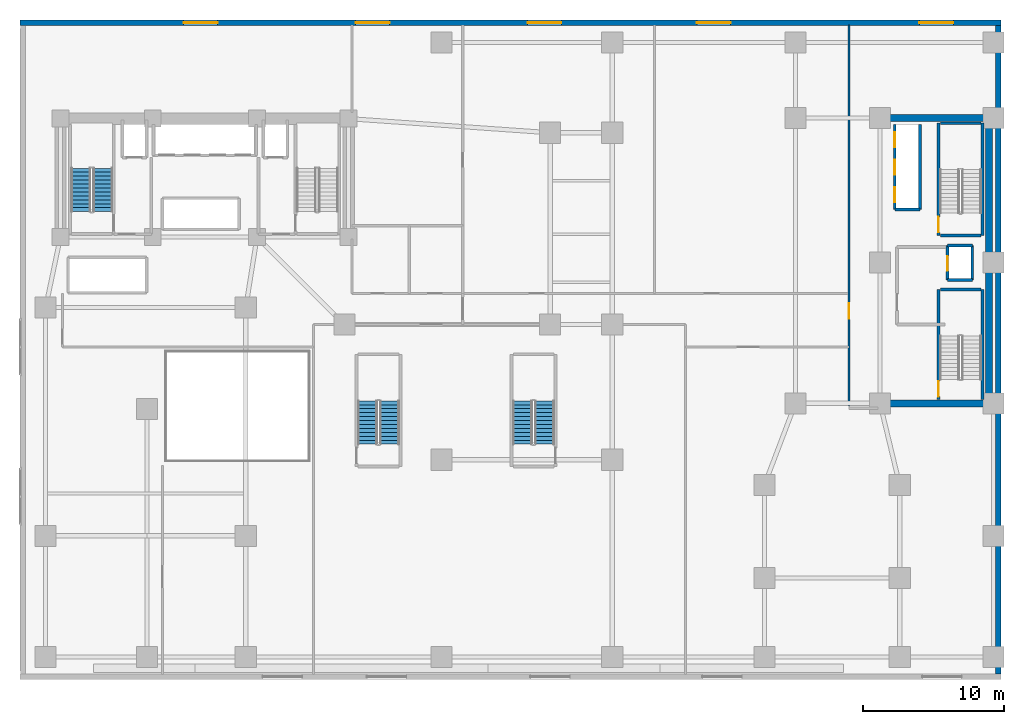
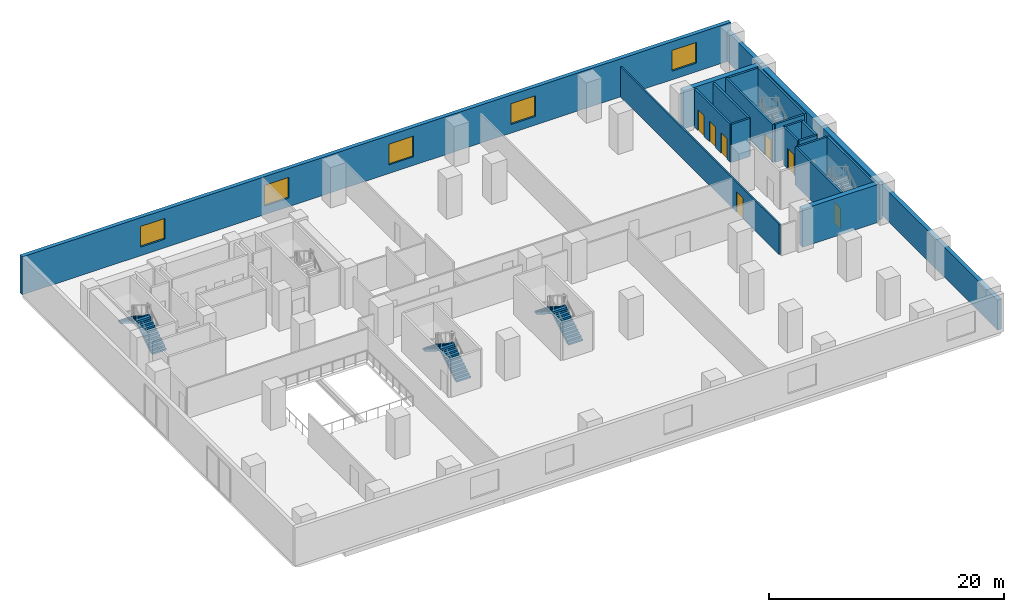
# One storey, part 10 of 14: 20 walls, 7 doors, 6 stair flights, 5 windows, 12 openings, 3 elements without a shape of their own.
"""IFC4 building model written with IfcOpenShell, lengths in metres."""

from ifc_helpers import new_model, si_unit, direction, frame, frame_2d, origin, place, context, subcontext, project, spatial, polyline, rectangle, outline, extrude, material, layer, layer_set, type_object, element, fill, aggregate, save


model = new_model("IFC4")

# Units and contexts
model_context = context("Model", 3, precision=1e-05, world=origin(), true_north=direction((0.0, 1.0)))
body_context = subcontext(model_context, "Body", "Model", "MODEL_VIEW")
ifc_project = project(units=[si_unit("LENGTHUNIT", "METRE"), si_unit("AREAUNIT", "SQUARE_METRE"), si_unit("VOLUMEUNIT", "CUBIC_METRE"), si_unit("PLANEANGLEUNIT", "RADIAN"), si_unit("MASSUNIT", "GRAM", prefix="KILO")], contexts=[model_context])

# Site, building, storey
site_placement = place(None, origin())
site = spatial("IfcSite", under=ifc_project, at=site_placement, CompositionType="ELEMENT")
building_placement = place(site_placement, origin())
building = spatial("IfcBuilding", under=site, at=building_placement, Name="Kuzgunbayir Cultural Tower", CompositionType="ELEMENT")
storey_placement = place(building_placement, frame((0.0, 0.0, 8.800048828125)))
storey = spatial("IfcBuildingStorey", under=building, at=storey_placement, Name="L02", CompositionType="ELEMENT", Elevation=8.800048828125)

# Wall, openings, windows
ifc_material_1 = material(Name="Anatolian Cream Limestone", Category="masonry")
ifc_layer_1 = layer(ifc_material_1, 0.3798828125)
ifc_layer_set_1 = layer_set([ifc_layer_1], Name="Anatolian Cream Limestone")
wall_type_1 = type_object("IfcWallType", Name="WAL-EXT-STONE-380", PredefinedType="STANDARD", material=ifc_layer_set_1)
wall_1_placement = place(storey_placement, frame((73.199951171875, 49.0, 0.0), z_axis=(0.0, 0.0, 1.0), x_axis=(-1.0, 0.0, 0.0)))
wall_1 = element("IfcWall", 1, at=wall_1_placement, inside=storey, type_object=wall_type_1, Name="L02 Podium North Limestone Facade", PredefinedType="STANDARD", context=body_context, shape_type="SweptSolid", body=[
    extrude(rectangle(XDim=69.599853515625, YDim=0.3798828125, at=frame_2d((34.7998046875, 0.0))), origin(), (0.0, 0.0, 1.0), 3.949951171875),
])
opening_1_placement = place(wall_1_placement, frame((3.39990234375, 0.0, 0.89990234375)))
opening_1 = element("IfcOpeningElement", 2, at=opening_1_placement, cuts=wall_1, Name="Opening WG-24", PredefinedType="OPENING", context=body_context, shape_type="SweptSolid", body=[
    extrude(rectangle(XDim=2.39990234375, YDim=2.14990234375, at=frame_2d((1.199951171875, 1.074951171875))), frame((0.0, 0.199951171875, 0.0), z_axis=(0.0, -1.0, 0.0), x_axis=(1.0, 0.0, 0.0)), (0.0, 0.0, 1.0), 0.39990234375),
])
opening_2_placement = place(wall_1_placement, frame((19.199951171875, 0.0, 0.89990234375)))
opening_2 = element("IfcOpeningElement", 3, at=opening_2_placement, cuts=wall_1, Name="Opening WG-24", PredefinedType="OPENING", context=body_context, shape_type="SweptSolid", body=[
    extrude(rectangle(XDim=2.39990234375, YDim=2.14990234375, at=frame_2d((1.199951171875, 1.074951171875))), frame((0.0, 0.199951171875, 0.0), z_axis=(0.0, -1.0, 0.0), x_axis=(1.0, 0.0, 0.0)), (0.0, 0.0, 1.0), 0.39990234375),
])
opening_3_placement = place(wall_1_placement, frame((31.199951171875, 0.0, 0.89990234375)))
opening_3 = element("IfcOpeningElement", 4, at=opening_3_placement, cuts=wall_1, Name="Opening WG-24", PredefinedType="OPENING", context=body_context, shape_type="SweptSolid", body=[
    extrude(rectangle(XDim=2.39990234375, YDim=2.14990234375, at=frame_2d((1.199951171875, 1.074951171875))), frame((0.0, 0.199951171875, 0.0), z_axis=(0.0, -1.0, 0.0), x_axis=(1.0, 0.0, 0.0)), (0.0, 0.0, 1.0), 0.39990234375),
])
opening_4_placement = place(wall_1_placement, frame((43.39990234375, 0.0, 0.89990234375)))
opening_4 = element("IfcOpeningElement", 5, at=opening_4_placement, cuts=wall_1, Name="Opening WG-24", PredefinedType="OPENING", context=body_context, shape_type="SweptSolid", body=[
    extrude(rectangle(XDim=2.39990234375, YDim=2.14990234375, at=frame_2d((1.199951171875, 1.074951171875))), frame((0.0, 0.199951171875, 0.0), z_axis=(0.0, -1.0, 0.0), x_axis=(1.0, 0.0, 0.0)), (0.0, 0.0, 1.0), 0.39990234375),
])
opening_5_placement = place(wall_1_placement, frame((55.60009765625, 0.0, 0.89990234375)))
opening_5 = element("IfcOpeningElement", 6, at=opening_5_placement, cuts=wall_1, Name="Opening WG-24", PredefinedType="OPENING", context=body_context, shape_type="SweptSolid", body=[
    extrude(rectangle(XDim=2.39990234375, YDim=2.14990234375, at=frame_2d((1.199951171875, 1.074951171875))), frame((0.0, 0.199951171875, 0.0), z_axis=(0.0, -1.0, 0.0), x_axis=(1.0, 0.0, 0.0)), (0.0, 0.0, 1.0), 0.39990234375),
])
ifc_material_2 = material(Name="Solar-Control Triple Glazing", Category="glass")
window_type = type_object("IfcWindowType", Name="WIN-GALLERY-24", PartitioningType="SINGLE_PANEL", PredefinedType="WINDOW", material=ifc_material_2)
window_1_placement = place(opening_1_placement, origin())
window_1 = element("IfcWindow", 7, at=window_1_placement, inside=storey, type_object=window_type, Name="L02 Podium North Gallery Window 1", OverallHeight=2.14990234375, OverallWidth=2.39990234375, PartitioningType="SINGLE_PANEL", PredefinedType="WINDOW", context=body_context, shape_type="SweptSolid", body=[
    extrude(rectangle(XDim=2.39990234375, YDim=2.14990234375, at=frame_2d((1.199951171875, 1.074951171875))), frame((0.0, 0.030029296875, 0.0), z_axis=(0.0, -1.0, 0.0), x_axis=(1.0, 0.0, 0.0)), (0.0, 0.0, 1.0), 0.06005859375),
])
fill(opening_1, window_1)
window_2_placement = place(opening_2_placement, origin())
window_2 = element("IfcWindow", 8, at=window_2_placement, inside=storey, type_object=window_type, Name="L02 Podium North Gallery Window 2", OverallHeight=2.14990234375, OverallWidth=2.39990234375, PartitioningType="SINGLE_PANEL", PredefinedType="WINDOW", context=body_context, shape_type="SweptSolid", body=[
    extrude(rectangle(XDim=2.39990234375, YDim=2.14990234375, at=frame_2d((1.199951171875, 1.074951171875))), frame((0.0, 0.030029296875, 0.0), z_axis=(0.0, -1.0, 0.0), x_axis=(1.0, 0.0, 0.0)), (0.0, 0.0, 1.0), 0.06005859375),
])
fill(opening_2, window_2)
window_3_placement = place(opening_3_placement, origin())
window_3 = element("IfcWindow", 9, at=window_3_placement, inside=storey, type_object=window_type, Name="L02 Podium North Gallery Window 3", OverallHeight=2.14990234375, OverallWidth=2.39990234375, PartitioningType="SINGLE_PANEL", PredefinedType="WINDOW", context=body_context, shape_type="SweptSolid", body=[
    extrude(rectangle(XDim=2.39990234375, YDim=2.14990234375, at=frame_2d((1.199951171875, 1.074951171875))), frame((0.0, 0.030029296875, 0.0), z_axis=(0.0, -1.0, 0.0), x_axis=(1.0, 0.0, 0.0)), (0.0, 0.0, 1.0), 0.06005859375),
])
fill(opening_3, window_3)
window_4_placement = place(opening_4_placement, origin())
window_4 = element("IfcWindow", 10, at=window_4_placement, inside=storey, type_object=window_type, Name="L02 Podium North Gallery Window 4", OverallHeight=2.14990234375, OverallWidth=2.39990234375, PartitioningType="SINGLE_PANEL", PredefinedType="WINDOW", context=body_context, shape_type="SweptSolid", body=[
    extrude(rectangle(XDim=2.39990234375, YDim=2.14990234375, at=frame_2d((1.199951171875, 1.074951171875))), frame((0.0, 0.030029296875, 0.0), z_axis=(0.0, -1.0, 0.0), x_axis=(1.0, 0.0, 0.0)), (0.0, 0.0, 1.0), 0.06005859375),
])
fill(opening_4, window_4)
window_5_placement = place(opening_5_placement, origin())
window_5 = element("IfcWindow", 11, at=window_5_placement, inside=storey, type_object=window_type, Name="L02 Podium North Gallery Window 5", OverallHeight=2.14990234375, OverallWidth=2.39990234375, PartitioningType="SINGLE_PANEL", PredefinedType="WINDOW", context=body_context, shape_type="SweptSolid", body=[
    extrude(rectangle(XDim=2.39990234375, YDim=2.14990234375, at=frame_2d((1.199951171875, 1.074951171875))), frame((0.0, 0.030029296875, 0.0), z_axis=(0.0, -1.0, 0.0), x_axis=(1.0, 0.0, 0.0)), (0.0, 0.0, 1.0), 0.06005859375),
])
fill(opening_5, window_5)

# Wall
wall_2_placement = place(storey_placement, frame((73.0, 2.800048828125, 0.0), z_axis=(0.0, 0.0, 1.0), x_axis=(0.0, 1.0, 0.0)))
element("IfcWall", 12, at=wall_2_placement, inside=storey, type_object=wall_type_1, Name="L02 Podium East Limestone Facade", PredefinedType="STANDARD", context=body_context, shape_type="SweptSolid", body=[
    extrude(rectangle(XDim=46.0, YDim=0.3798828125, at=frame_2d((23.0, 0.0))), origin(), (0.0, 0.0, 1.0), 3.1298828125),
])

# Wall, opening, door
ifc_material_3 = material(Name="Acoustic Double-Stud Drywall", Category="gypsum")
ifc_layer_2 = layer(ifc_material_3, 0.14990234375)
ifc_layer_set_2 = layer_set([ifc_layer_2], Name="Acoustic Double-Stud Drywall")
wall_type_2 = type_object("IfcWallType", Name="WAL-PART-ACOUSTIC-150", PredefinedType="PARTITIONING", material=ifc_layer_set_2)
wall_3_placement = place(storey_placement, frame((62.39990234375, 21.800048828125, 0.0), z_axis=(0.0, 0.0, 1.0), x_axis=(0.0, 1.0, 0.0)))
wall_3 = element("IfcWall", 13, at=wall_3_placement, inside=storey, type_object=wall_type_2, Name="L02 Companion Core West Wall", PredefinedType="PARTITIONING", context=body_context, shape_type="SweptSolid", body=[
    extrude(rectangle(XDim=27.050048828125, YDim=0.14990234375, at=frame_2d((13.52490234375, 0.0))), origin(), (0.0, 0.0, 1.0), 3.1298828125),
])
opening_6_placement = place(wall_3_placement, frame((6.199951171875, 0.0, 0.0)))
opening_6 = element("IfcOpeningElement", 14, at=opening_6_placement, cuts=wall_3, Name="Opening DR-STAIR-90", PredefinedType="OPENING", context=body_context, shape_type="SweptSolid", body=[
    extrude(rectangle(XDim=1.10009765625, YDim=2.14990234375, at=frame_2d((0.550048828125, 1.074951171875))), frame((0.0, 0.0849609375, 0.0), z_axis=(0.0, -1.0, 0.0), x_axis=(1.0, 0.0, 0.0)), (0.0, 0.0, 1.0), 0.169921875),
])
ifc_material_4 = material(Name="Steel S355J2", Category="steel")
door_type_1 = type_object("IfcDoorType", Name="DR-STAIR-90", OperationType="NOTDEFINED", PredefinedType="DOOR", material=ifc_material_4)
door_1_placement = place(opening_6_placement, origin())
door_1 = element("IfcDoor", 15, at=door_1_placement, inside=storey, type_object=door_type_1, Name="L02 Companion Core Concourse Door", OperationType="SINGLE_SWING_LEFT", OverallHeight=2.14990234375, OverallWidth=1.10009765625, PredefinedType="DOOR", context=body_context, shape_type="SweptSolid", body=[
    extrude(rectangle(XDim=1.10009765625, YDim=2.14990234375, at=frame_2d((0.550048828125, 1.074951171875))), frame((0.0, 0.02490234375, 0.0), z_axis=(0.0, -1.0, 0.0), x_axis=(1.0, 0.0, 0.0)), (0.0, 0.0, 1.0), 0.050048828125),
])
fill(opening_6, door_1)

# Wall, openings, doors
ifc_material_5 = material(Name="Concrete C40/50", Category="concrete")
ifc_layer_3 = layer(ifc_material_5, 0.199951171875)
ifc_layer_set_3 = layer_set([ifc_layer_3], Name="Concrete C40/50")
wall_type_3 = type_object("IfcWallType", Name="WAL-SHAFT-200", PredefinedType="MOVABLE", material=ifc_layer_set_3)
wall_4_placement = place(storey_placement, frame((65.64990234375, 35.75, 0.0), z_axis=(0.0, 0.0, 1.0), x_axis=(0.0, 1.0, 0.0)))
wall_4 = element("IfcWall", 16, at=wall_4_placement, inside=storey, type_object=wall_type_3, Name="L02 Companion Lift Front Wall", PredefinedType="MOVABLE", context=body_context, shape_type="SweptSolid", body=[
    extrude(rectangle(XDim=6.050048828125, YDim=0.199951171875, at=frame_2d((3.02490234375, 0.0))), origin(), (0.0, 0.0, 1.0), 3.949951171875),
])
opening_7_placement = place(wall_4_placement, frame((0.52001953125, 0.0, 0.0)))
opening_7 = element("IfcOpeningElement", 17, at=opening_7_placement, cuts=wall_4, Name="Opening LD", PredefinedType="OPENING", context=body_context, shape_type="SweptSolid", body=[
    extrude(rectangle(XDim=1.050048828125, YDim=2.14990234375, at=frame_2d((0.52490234375, 1.074951171875))), frame((0.0, 0.10986328125, 0.0), z_axis=(0.0, -1.0, 0.0), x_axis=(1.0, 0.0, 0.0)), (0.0, 0.0, 1.0), 0.219970703125),
])
opening_8_placement = place(wall_4_placement, frame((2.47998046875, 0.0, 0.0)))
opening_8 = element("IfcOpeningElement", 18, at=opening_8_placement, cuts=wall_4, Name="Opening LD", PredefinedType="OPENING", context=body_context, shape_type="SweptSolid", body=[
    extrude(rectangle(XDim=1.050048828125, YDim=2.14990234375, at=frame_2d((0.52490234375, 1.074951171875))), frame((0.0, 0.10986328125, 0.0), z_axis=(0.0, -1.0, 0.0), x_axis=(1.0, 0.0, 0.0)), (0.0, 0.0, 1.0), 0.219970703125),
])
opening_9_placement = place(wall_4_placement, frame((4.429931640625, 0.0, 0.0)))
opening_9 = element("IfcOpeningElement", 19, at=opening_9_placement, cuts=wall_4, Name="Opening LD", PredefinedType="OPENING", context=body_context, shape_type="SweptSolid", body=[
    extrude(rectangle(XDim=1.050048828125, YDim=2.14990234375, at=frame_2d((0.52490234375, 1.074951171875))), frame((0.0, 0.10986328125, 0.0), z_axis=(0.0, -1.0, 0.0), x_axis=(1.0, 0.0, 0.0)), (0.0, 0.0, 1.0), 0.219970703125),
])
ifc_material_6 = material(Name="Brushed Stainless Steel", Category="steel")
door_type_2 = type_object("IfcDoorType", Name="DR-LIFT-LANDING", OperationType="SLIDING_TO_LEFT", PredefinedType="DOOR", material=ifc_material_6)
door_2_placement = place(opening_7_placement, origin())
door_2 = element("IfcDoor", 20, at=door_2_placement, inside=storey, type_object=door_type_2, Name="L02 Lift PC-1 Landing Door", OperationType="SLIDING_TO_LEFT", OverallHeight=2.14990234375, OverallWidth=1.050048828125, PredefinedType="DOOR", context=body_context, shape_type="SweptSolid", body=[
    extrude(rectangle(XDim=1.050048828125, YDim=2.14990234375, at=frame_2d((0.52490234375, 1.074951171875))), frame((0.0, 0.02490234375, 0.0), z_axis=(0.0, -1.0, 0.0), x_axis=(1.0, 0.0, 0.0)), (0.0, 0.0, 1.0), 0.050048828125),
])
fill(opening_7, door_2)
door_3_placement = place(opening_8_placement, origin())
door_3 = element("IfcDoor", 21, at=door_3_placement, inside=storey, type_object=door_type_2, Name="L02 Lift PC-2 Landing Door", OperationType="SLIDING_TO_LEFT", OverallHeight=2.14990234375, OverallWidth=1.050048828125, PredefinedType="DOOR", context=body_context, shape_type="SweptSolid", body=[
    extrude(rectangle(XDim=1.050048828125, YDim=2.14990234375, at=frame_2d((0.52490234375, 1.074951171875))), frame((0.0, 0.02490234375, 0.0), z_axis=(0.0, -1.0, 0.0), x_axis=(1.0, 0.0, 0.0)), (0.0, 0.0, 1.0), 0.050048828125),
])
fill(opening_8, door_3)
door_4_placement = place(opening_9_placement, origin())
door_4 = element("IfcDoor", 22, at=door_4_placement, inside=storey, type_object=door_type_2, Name="L02 Lift PC-3 Landing Door", OperationType="SLIDING_TO_LEFT", OverallHeight=2.14990234375, OverallWidth=1.050048828125, PredefinedType="DOOR", context=body_context, shape_type="SweptSolid", body=[
    extrude(rectangle(XDim=1.050048828125, YDim=2.14990234375, at=frame_2d((0.52490234375, 1.074951171875))), frame((0.0, 0.02490234375, 0.0), z_axis=(0.0, -1.0, 0.0), x_axis=(1.0, 0.0, 0.0)), (0.0, 0.0, 1.0), 0.050048828125),
])
fill(opening_9, door_4)

# Walls
wall_5_placement = place(storey_placement, frame((67.449951171875, 35.75, 0.0), z_axis=(0.0, 0.0, 1.0), x_axis=(0.0, 1.0, 0.0)))
element("IfcWall", 23, at=wall_5_placement, inside=storey, type_object=wall_type_3, Name="L02 Companion Lift Shaft Back Wall", PredefinedType="MOVABLE", context=body_context, shape_type="SweptSolid", body=[
    extrude(rectangle(XDim=6.050048828125, YDim=0.199951171875, at=frame_2d((3.02490234375, 0.0))), origin(), (0.0, 0.0, 1.0), 3.949951171875),
])
wall_6_placement = place(storey_placement, frame((65.64990234375, 35.75, 0.0), z_axis=(0.0, 0.0, 1.0), x_axis=(1.0, 0.0, 0.0)))
element("IfcWall", 24, at=wall_6_placement, inside=storey, type_object=wall_type_3, Name="L02 Companion Lift Shaft South Wall", PredefinedType="MOVABLE", context=body_context, shape_type="SweptSolid", body=[
    extrude(rectangle(XDim=1.800048828125, YDim=0.199951171875, at=frame_2d((0.89990234375, 0.0))), origin(), (0.0, 0.0, 1.0), 3.949951171875),
])

# Wall, opening, door
wall_7_placement = place(storey_placement, frame((69.39990234375, 30.75, 0.0), z_axis=(0.0, 0.0, 1.0), x_axis=(0.0, 1.0, 0.0)))
wall_7 = element("IfcWall", 25, at=wall_7_placement, inside=storey, type_object=wall_type_3, Name="L02 FFL-3 Lift Front Wall", PredefinedType="MOVABLE", context=body_context, shape_type="SweptSolid", body=[
    extrude(rectangle(XDim=2.449951171875, YDim=0.199951171875, at=frame_2d((1.22509765625, 0.0))), origin(), (0.0, 0.0, 1.0), 3.949951171875),
])
opening_10_placement = place(wall_7_placement, frame((0.64990234375, 0.0, 0.0)))
opening_10 = element("IfcOpeningElement", 26, at=opening_10_placement, cuts=wall_7, Name="Opening LD", PredefinedType="OPENING", context=body_context, shape_type="SweptSolid", body=[
    extrude(rectangle(XDim=1.050048828125, YDim=2.14990234375, at=frame_2d((0.52490234375, 1.074951171875))), frame((0.0, 0.10986328125, 0.0), z_axis=(0.0, -1.0, 0.0), x_axis=(1.0, 0.0, 0.0)), (0.0, 0.0, 1.0), 0.219970703125),
])
door_5_placement = place(opening_10_placement, origin())
door_5 = element("IfcDoor", 27, at=door_5_placement, inside=storey, type_object=door_type_2, Name="L02 Lift FFL-3 Landing Door", OperationType="SLIDING_TO_LEFT", OverallHeight=2.14990234375, OverallWidth=1.050048828125, PredefinedType="DOOR", context=body_context, shape_type="SweptSolid", body=[
    extrude(rectangle(XDim=1.050048828125, YDim=2.14990234375, at=frame_2d((0.52490234375, 1.074951171875))), frame((0.0, 0.02490234375, 0.0), z_axis=(0.0, -1.0, 0.0), x_axis=(1.0, 0.0, 0.0)), (0.0, 0.0, 1.0), 0.050048828125),
])
fill(opening_10, door_5)

# Walls
wall_8_placement = place(storey_placement, frame((71.14990234375, 30.75, 0.0), z_axis=(0.0, 0.0, 1.0), x_axis=(0.0, 1.0, 0.0)))
element("IfcWall", 28, at=wall_8_placement, inside=storey, type_object=wall_type_3, Name="L02 FFL-3 Shaft Back Wall", PredefinedType="MOVABLE", context=body_context, shape_type="SweptSolid", body=[
    extrude(rectangle(XDim=2.449951171875, YDim=0.199951171875, at=frame_2d((1.22509765625, 0.0))), origin(), (0.0, 0.0, 1.0), 3.949951171875),
])
for number, where, z_axis, x_axis, name in (
    (29, (69.39990234375, 33.199951171875, 0.0), (0.0, 0.0, 1.0), (1.0, 0.0, 0.0), "L02 FFL-3 Shaft North Wall"),
    (30, (69.39990234375, 30.75, 0.0), (0.0, 0.0, 1.0), (1.0, 0.0, 0.0), "L02 FFL-3 Shaft South Wall"),
):
    element("IfcWall", number, at=place(storey_placement, frame(where, z_axis=z_axis, x_axis=x_axis)), inside=storey, type_object=wall_type_3, Name=name, PredefinedType="MOVABLE", context=body_context, shape_type="SweptSolid", body=[
        extrude(rectangle(XDim=1.75, YDim=0.199951171875, at=frame_2d((0.875, 0.0))), origin(), (0.0, 0.0, 1.0), 3.949951171875),
    ])

# Wall, opening, door
ifc_layer_4 = layer(ifc_material_5, 0.199951171875)
ifc_layer_set_4 = layer_set([ifc_layer_4], Name="Concrete C40/50")
wall_type_4 = type_object("IfcWallType", Name="WAL-STAIR-RC-200", PredefinedType="SHEAR", material=ifc_layer_set_4)
wall_9_placement = place(storey_placement, frame((68.760009765625, 22.260009765625, 0.0), z_axis=(0.0, 0.0, 1.0), x_axis=(0.0, 1.0, 0.0)))
wall_9 = element("IfcWall", 31, at=wall_9_placement, inside=storey, type_object=wall_type_4, Name="L02 Stair ST-3 West Structural Wall", PredefinedType="SHEAR", context=body_context, shape_type="SweptSolid", body=[
    extrude(rectangle(XDim=7.820068359375, YDim=0.199951171875, at=frame_2d((3.91015625, 0.0))), origin(), (0.0, 0.0, 1.0), 3.949951171875),
])
opening_11_placement = place(wall_9_placement, frame((0.219970703125, 0.0, 0.0)))
opening_11 = element("IfcOpeningElement", 32, at=opening_11_placement, cuts=wall_9, Name="Opening DR-STAIR-90", PredefinedType="OPENING", context=body_context, shape_type="SweptSolid", body=[
    extrude(rectangle(XDim=1.10009765625, YDim=2.14990234375, at=frame_2d((0.550048828125, 1.074951171875))), frame((0.0, 0.10986328125, 0.0), z_axis=(0.0, -1.0, 0.0), x_axis=(1.0, 0.0, 0.0)), (0.0, 0.0, 1.0), 0.219970703125),
])
door_6_placement = place(opening_11_placement, origin())
door_6 = element("IfcDoor", 33, at=door_6_placement, inside=storey, type_object=door_type_1, Name="L02 Stair ST-3 Fire Door", OperationType="SINGLE_SWING_RIGHT", OverallHeight=2.14990234375, OverallWidth=1.10009765625, PredefinedType="DOOR", context=body_context, shape_type="SweptSolid", body=[
    extrude(rectangle(XDim=1.10009765625, YDim=2.14990234375, at=frame_2d((0.550048828125, 1.074951171875))), frame((0.0, 0.02490234375, 0.0), z_axis=(0.0, -1.0, 0.0), x_axis=(1.0, 0.0, 0.0)), (0.0, 0.0, 1.0), 0.050048828125),
])
fill(opening_11, door_6)

# Walls
wall_10_placement = place(storey_placement, frame((71.8798828125, 22.260009765625, 0.0), z_axis=(0.0, 0.0, 1.0), x_axis=(0.0, 1.0, 0.0)))
element("IfcWall", 34, at=wall_10_placement, inside=storey, type_object=wall_type_4, Name="L02 Stair ST-3 East Structural Wall", PredefinedType="SHEAR", context=body_context, shape_type="SweptSolid", body=[
    extrude(rectangle(XDim=7.820068359375, YDim=0.199951171875, at=frame_2d((3.91015625, 0.0))), origin(), (0.0, 0.0, 1.0), 3.949951171875),
])
wall_11_placement = place(storey_placement, frame((68.8798828125, 30.080078125, 0.0), z_axis=(0.0, 0.0, 1.0), x_axis=(1.0, 0.0, 0.0)))
element("IfcWall", 35, at=wall_11_placement, inside=storey, type_object=wall_type_4, Name="L02 Stair ST-3 North Structural Wall", PredefinedType="SHEAR", context=body_context, shape_type="SweptSolid", body=[
    extrude(rectangle(XDim=2.880126953125, YDim=0.199951171875, at=frame_2d((1.43994140625, 0.0))), origin(), (0.0, 0.0, 1.0), 3.949951171875),
])

# Wall, opening, door
wall_12_placement = place(storey_placement, frame((68.760009765625, 33.919921875, 0.0), z_axis=(0.0, 0.0, 1.0), x_axis=(0.0, 1.0, 0.0)))
wall_12 = element("IfcWall", 36, at=wall_12_placement, inside=storey, type_object=wall_type_4, Name="L02 Stair ST-4 West Structural Wall", PredefinedType="SHEAR", context=body_context, shape_type="SweptSolid", body=[
    extrude(rectangle(XDim=7.9599609375, YDim=0.199951171875, at=frame_2d((3.97998046875, 0.0))), origin(), (0.0, 0.0, 1.0), 3.949951171875),
])
opening_12_placement = place(wall_12_placement, frame((0.219970703125, 0.0, 0.0)))
opening_12 = element("IfcOpeningElement", 37, at=opening_12_placement, cuts=wall_12, Name="Opening DR-STAIR-90", PredefinedType="OPENING", context=body_context, shape_type="SweptSolid", body=[
    extrude(rectangle(XDim=1.10009765625, YDim=2.14990234375, at=frame_2d((0.550048828125, 1.074951171875))), frame((0.0, 0.10986328125, 0.0), z_axis=(0.0, -1.0, 0.0), x_axis=(1.0, 0.0, 0.0)), (0.0, 0.0, 1.0), 0.219970703125),
])
door_7_placement = place(opening_12_placement, origin())
door_7 = element("IfcDoor", 38, at=door_7_placement, inside=storey, type_object=door_type_1, Name="L02 Stair ST-4 Fire Door", OperationType="SINGLE_SWING_LEFT", OverallHeight=2.14990234375, OverallWidth=1.10009765625, PredefinedType="DOOR", context=body_context, shape_type="SweptSolid", body=[
    extrude(rectangle(XDim=1.10009765625, YDim=2.14990234375, at=frame_2d((0.550048828125, 1.074951171875))), frame((0.0, 0.02490234375, 0.0), z_axis=(0.0, -1.0, 0.0), x_axis=(1.0, 0.0, 0.0)), (0.0, 0.0, 1.0), 0.050048828125),
])
fill(opening_12, door_7)

# Walls
wall_13_placement = place(storey_placement, frame((71.8798828125, 33.919921875, 0.0), z_axis=(0.0, 0.0, 1.0), x_axis=(0.0, 1.0, 0.0)))
element("IfcWall", 39, at=wall_13_placement, inside=storey, type_object=wall_type_4, Name="L02 Stair ST-4 East Structural Wall", PredefinedType="SHEAR", context=body_context, shape_type="SweptSolid", body=[
    extrude(rectangle(XDim=7.9599609375, YDim=0.199951171875, at=frame_2d((3.97998046875, 0.0))), origin(), (0.0, 0.0, 1.0), 3.949951171875),
])
for number, where, z_axis, x_axis, name in (
    (40, (68.8798828125, 41.8798828125, 0.0), (0.0, 0.0, 1.0), (1.0, 0.0, 0.0), "L02 Stair ST-4 North Structural Wall"),
    (41, (68.8798828125, 33.919921875, 0.0), (0.0, 0.0, 1.0), (1.0, 0.0, 0.0), "L02 Stair ST-4 South Structural Wall"),
):
    element("IfcWall", number, at=place(storey_placement, frame(where, z_axis=z_axis, x_axis=x_axis)), inside=storey, type_object=wall_type_4, Name=name, PredefinedType="SHEAR", context=body_context, shape_type="SweptSolid", body=[
        extrude(rectangle(XDim=2.880126953125, YDim=0.199951171875, at=frame_2d((1.43994140625, 0.0))), origin(), (0.0, 0.0, 1.0), 3.949951171875),
    ])
ifc_material_7 = material(Name="Concrete C60/75", Category="concrete")
ifc_layer_5 = layer(ifc_material_7, 0.5)
ifc_layer_set_5 = layer_set([ifc_layer_5], Name="Concrete C60/75")
wall_type_5 = type_object("IfcWallType", Name="WAL-T2-CORE-500", PredefinedType="SHEAR", material=ifc_layer_set_5)
wall_14_placement = place(storey_placement, frame((72.35009765625, 22.0, 0.0), z_axis=(0.0, 0.0, 1.0), x_axis=(0.0, 1.0, 0.0)))
element("IfcWall", 42, at=wall_14_placement, inside=storey, type_object=wall_type_5, Name="L02 Companion Core East Shear Wall", PredefinedType="SHEAR", context=body_context, shape_type="SweptSolid", body=[
    extrude(rectangle(XDim=20.25, YDim=0.5, at=frame_2d((10.125, 0.0))), origin(), (0.0, 0.0, 1.0), 3.949951171875),
])
for number, where, z_axis, x_axis, name in (
    (43, (64.60009765625, 42.25, 0.0), (0.0, 0.0, 1.0), (1.0, 0.0, 0.0), "L02 Companion Core North Shear Wall"),
    (44, (64.60009765625, 22.0, 0.0), (0.0, 0.0, 1.0), (1.0, 0.0, 0.0), "L02 Companion Core South Shear Wall"),
):
    element("IfcWall", number, at=place(storey_placement, frame(where, z_axis=z_axis, x_axis=x_axis)), inside=storey, type_object=wall_type_5, Name=name, PredefinedType="SHEAR", context=body_context, shape_type="SweptSolid", body=[
        extrude(rectangle(XDim=7.5, YDim=0.5, at=frame_2d((3.75, 0.0))), origin(), (0.0, 0.0, 1.0), 3.949951171875),
    ])

# Stair, stair flights
stair_type_1 = type_object("IfcStairType", Name="STR-EXIT-CORE", PredefinedType="HALF_TURN_STAIR", material=ifc_material_5)
stair_1_placement = place(storey_placement, origin())
stair_1 = element("IfcStair", 45, at=stair_1_placement, inside=storey, type_object=stair_type_1, Name="L02 ST-1", PredefinedType="HALF_TURN_STAIR")
stair_flight_type = type_object("IfcStairFlightType", Name="STRF-RC-140", PredefinedType="STRAIGHT", material=ifc_material_5)
stair_flight_1_placement = place(storey_placement, frame((9.4599609375, 35.60009765625, 0.0), z_axis=(0.0, 0.0, 1.0), x_axis=(0.0, 1.0, 0.0)))
stair_flight_1 = element("IfcStairFlight", 46, at=stair_flight_1_placement, type_object=stair_flight_type, Name="ST-1 flight 1", NumberOfRisers=12, NumberOfTreads=11, PredefinedType="STRAIGHT", RiserHeight=0.175, TreadLength=0.28, context=body_context, shape_type="SweptSolid", body=[
    extrude(outline(polyline([(0.0, 0.0), (0.0, 0.175048828125), (0.280029296875, 0.175048828125), (0.280029296875, 0.35009765625), (0.56005859375, 0.35009765625), (0.56005859375, 0.52490234375), (0.840087890625, 0.52490234375), (0.840087890625, 0.699951171875), (1.1201171875, 0.699951171875), (1.1201171875, 0.875), (1.39990234375, 0.875), (1.39990234375, 1.050048828125), (1.679931640625, 1.050048828125), (1.679931640625, 1.22509765625), (1.9599609375, 1.22509765625), (1.9599609375, 1.39990234375), (2.239990234375, 1.39990234375), (2.239990234375, 1.574951171875), (2.52001953125, 1.574951171875), (2.52001953125, 1.75), (2.800048828125, 1.75), (2.800048828125, 1.925048828125), (3.080078125, 1.925048828125), (3.080078125, 2.10009765625), (3.080078125, 1.712890625), (0.339599609375, 0.0), (0.0, 0.0)])), frame((0.0, 0.699951171875, 0.0), z_axis=(0.0, -1.0, 0.0), x_axis=(1.0, 0.0, 0.0)), (0.0, 0.0, 1.0), 1.39990234375),
])
stair_flight_2_placement = place(storey_placement, frame((7.89990234375, 38.679931640625, 2.099853515625), z_axis=(0.0, 0.0, 1.0), x_axis=(0.0, -1.0, 0.0)))
stair_flight_2 = element("IfcStairFlight", 47, at=stair_flight_2_placement, type_object=stair_flight_type, Name="ST-1 flight 2", NumberOfRisers=12, NumberOfTreads=11, PredefinedType="STRAIGHT", RiserHeight=0.175, TreadLength=0.28, context=body_context, shape_type="SweptSolid", body=[
    extrude(outline(polyline([(0.0, 0.0), (0.0, 0.175048828125), (0.280029296875, 0.175048828125), (0.280029296875, 0.35009765625), (0.56005859375, 0.35009765625), (0.56005859375, 0.52490234375), (0.840087890625, 0.52490234375), (0.840087890625, 0.699951171875), (1.1201171875, 0.699951171875), (1.1201171875, 0.875), (1.39990234375, 0.875), (1.39990234375, 1.050048828125), (1.679931640625, 1.050048828125), (1.679931640625, 1.22509765625), (1.9599609375, 1.22509765625), (1.9599609375, 1.39990234375), (2.239990234375, 1.39990234375), (2.239990234375, 1.574951171875), (2.52001953125, 1.574951171875), (2.52001953125, 1.75), (2.800048828125, 1.75), (2.800048828125, 1.925048828125), (3.080078125, 1.925048828125), (3.080078125, 2.10009765625), (3.080078125, 1.712890625), (0.339599609375, 0.0), (0.0, 0.0)])), frame((0.0, 0.699951171875, 0.0), z_axis=(0.0, -1.0, 0.0), x_axis=(1.0, 0.0, 0.0)), (0.0, 0.0, 1.0), 1.39990234375),
])
aggregate(stair_1, [stair_flight_1, stair_flight_2])

stair_type_2 = type_object("IfcStairType", Name="STR-PODIUM-ESC", PredefinedType="HALF_TURN_STAIR", material=ifc_material_5)
stair_2_placement = place(storey_placement, origin())
stair_2 = element("IfcStair", 48, at=stair_2_placement, inside=storey, type_object=stair_type_2, Name="L02 ST-5", PredefinedType="HALF_TURN_STAIR")
stair_flight_3_placement = place(storey_placement, frame((29.800048828125, 19.10009765625, 0.0), z_axis=(0.0, 0.0, 1.0), x_axis=(0.0, 1.0, 0.0)))
stair_flight_3 = element("IfcStairFlight", 49, at=stair_flight_3_placement, type_object=stair_flight_type, Name="ST-5 flight 1", NumberOfRisers=12, NumberOfTreads=11, PredefinedType="STRAIGHT", RiserHeight=0.175, TreadLength=0.28, context=body_context, shape_type="SweptSolid", body=[
    extrude(outline(polyline([(0.0, 0.0), (0.0, 0.175048828125), (0.280029296875, 0.175048828125), (0.280029296875, 0.35009765625), (0.56005859375, 0.35009765625), (0.56005859375, 0.52490234375), (0.840087890625, 0.52490234375), (0.840087890625, 0.699951171875), (1.1201171875, 0.699951171875), (1.1201171875, 0.875), (1.39990234375, 0.875), (1.39990234375, 1.050048828125), (1.679931640625, 1.050048828125), (1.679931640625, 1.22509765625), (1.9599609375, 1.22509765625), (1.9599609375, 1.39990234375), (2.239990234375, 1.39990234375), (2.239990234375, 1.574951171875), (2.52001953125, 1.574951171875), (2.52001953125, 1.75), (2.800048828125, 1.75), (2.800048828125, 1.925048828125), (3.080078125, 1.925048828125), (3.080078125, 2.10009765625), (3.080078125, 1.712890625), (0.339599609375, 0.0), (0.0, 0.0)])), frame((0.0, 0.699951171875, 0.0), z_axis=(0.0, -1.0, 0.0), x_axis=(1.0, 0.0, 0.0)), (0.0, 0.0, 1.0), 1.39990234375),
])
stair_flight_4_placement = place(storey_placement, frame((28.239990234375, 22.179931640625, 2.099853515625), z_axis=(0.0, 0.0, 1.0), x_axis=(0.0, -1.0, 0.0)))
stair_flight_4 = element("IfcStairFlight", 50, at=stair_flight_4_placement, type_object=stair_flight_type, Name="ST-5 flight 2", NumberOfRisers=12, NumberOfTreads=11, PredefinedType="STRAIGHT", RiserHeight=0.175, TreadLength=0.28, context=body_context, shape_type="SweptSolid", body=[
    extrude(outline(polyline([(0.0, 0.0), (0.0, 0.175048828125), (0.280029296875, 0.175048828125), (0.280029296875, 0.35009765625), (0.56005859375, 0.35009765625), (0.56005859375, 0.52490234375), (0.840087890625, 0.52490234375), (0.840087890625, 0.699951171875), (1.1201171875, 0.699951171875), (1.1201171875, 0.875), (1.39990234375, 0.875), (1.39990234375, 1.050048828125), (1.679931640625, 1.050048828125), (1.679931640625, 1.22509765625), (1.9599609375, 1.22509765625), (1.9599609375, 1.39990234375), (2.239990234375, 1.39990234375), (2.239990234375, 1.574951171875), (2.52001953125, 1.574951171875), (2.52001953125, 1.75), (2.800048828125, 1.75), (2.800048828125, 1.925048828125), (3.080078125, 1.925048828125), (3.080078125, 2.10009765625), (3.080078125, 1.712890625), (0.339599609375, 0.0), (0.0, 0.0)])), frame((0.0, 0.699951171875, 0.0), z_axis=(0.0, -1.0, 0.0), x_axis=(1.0, 0.0, 0.0)), (0.0, 0.0, 1.0), 1.39990234375),
])
aggregate(stair_2, [stair_flight_3, stair_flight_4])

stair_3_placement = place(storey_placement, origin())
stair_3 = element("IfcStair", 51, at=stair_3_placement, inside=storey, type_object=stair_type_2, Name="L02 ST-6", PredefinedType="HALF_TURN_STAIR")
stair_flight_5_placement = place(storey_placement, frame((40.800048828125, 19.10009765625, 0.0), z_axis=(0.0, 0.0, 1.0), x_axis=(0.0, 1.0, 0.0)))
stair_flight_5 = element("IfcStairFlight", 52, at=stair_flight_5_placement, type_object=stair_flight_type, Name="ST-6 flight 1", NumberOfRisers=12, NumberOfTreads=11, PredefinedType="STRAIGHT", RiserHeight=0.175, TreadLength=0.28, context=body_context, shape_type="SweptSolid", body=[
    extrude(outline(polyline([(0.0, 0.0), (0.0, 0.175048828125), (0.280029296875, 0.175048828125), (0.280029296875, 0.35009765625), (0.56005859375, 0.35009765625), (0.56005859375, 0.52490234375), (0.840087890625, 0.52490234375), (0.840087890625, 0.699951171875), (1.1201171875, 0.699951171875), (1.1201171875, 0.875), (1.39990234375, 0.875), (1.39990234375, 1.050048828125), (1.679931640625, 1.050048828125), (1.679931640625, 1.22509765625), (1.9599609375, 1.22509765625), (1.9599609375, 1.39990234375), (2.239990234375, 1.39990234375), (2.239990234375, 1.574951171875), (2.52001953125, 1.574951171875), (2.52001953125, 1.75), (2.800048828125, 1.75), (2.800048828125, 1.925048828125), (3.080078125, 1.925048828125), (3.080078125, 2.10009765625), (3.080078125, 1.712890625), (0.339599609375, 0.0), (0.0, 0.0)])), frame((0.0, 0.699951171875, 0.0), z_axis=(0.0, -1.0, 0.0), x_axis=(1.0, 0.0, 0.0)), (0.0, 0.0, 1.0), 1.39990234375),
])
stair_flight_6_placement = place(storey_placement, frame((39.239990234375, 22.179931640625, 2.099853515625), z_axis=(0.0, 0.0, 1.0), x_axis=(0.0, -1.0, 0.0)))
stair_flight_6 = element("IfcStairFlight", 53, at=stair_flight_6_placement, type_object=stair_flight_type, Name="ST-6 flight 2", NumberOfRisers=12, NumberOfTreads=11, PredefinedType="STRAIGHT", RiserHeight=0.175, TreadLength=0.28, context=body_context, shape_type="SweptSolid", body=[
    extrude(outline(polyline([(0.0, 0.0), (0.0, 0.175048828125), (0.280029296875, 0.175048828125), (0.280029296875, 0.35009765625), (0.56005859375, 0.35009765625), (0.56005859375, 0.52490234375), (0.840087890625, 0.52490234375), (0.840087890625, 0.699951171875), (1.1201171875, 0.699951171875), (1.1201171875, 0.875), (1.39990234375, 0.875), (1.39990234375, 1.050048828125), (1.679931640625, 1.050048828125), (1.679931640625, 1.22509765625), (1.9599609375, 1.22509765625), (1.9599609375, 1.39990234375), (2.239990234375, 1.39990234375), (2.239990234375, 1.574951171875), (2.52001953125, 1.574951171875), (2.52001953125, 1.75), (2.800048828125, 1.75), (2.800048828125, 1.925048828125), (3.080078125, 1.925048828125), (3.080078125, 2.10009765625), (3.080078125, 1.712890625), (0.339599609375, 0.0), (0.0, 0.0)])), frame((0.0, 0.699951171875, 0.0), z_axis=(0.0, -1.0, 0.0), x_axis=(1.0, 0.0, 0.0)), (0.0, 0.0, 1.0), 1.39990234375),
])
aggregate(stair_3, [stair_flight_5, stair_flight_6])

save(model, "model.ifc")
